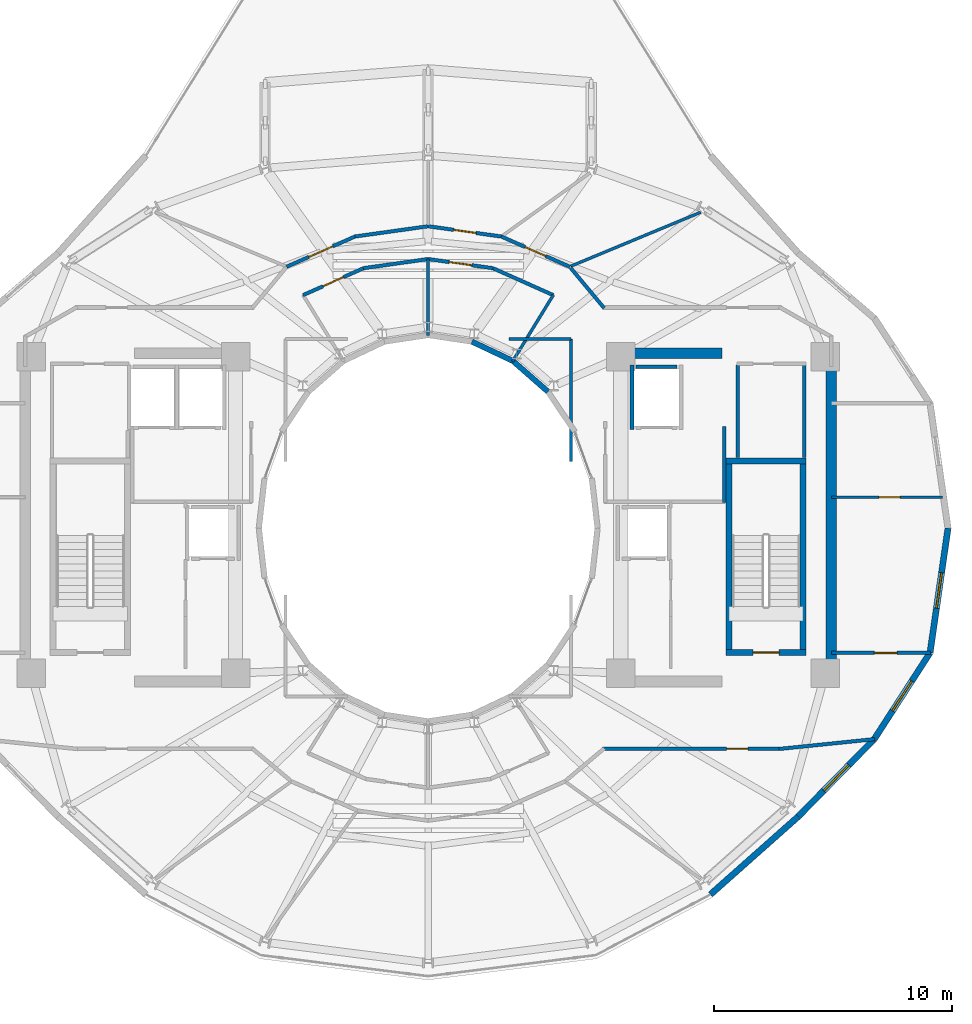
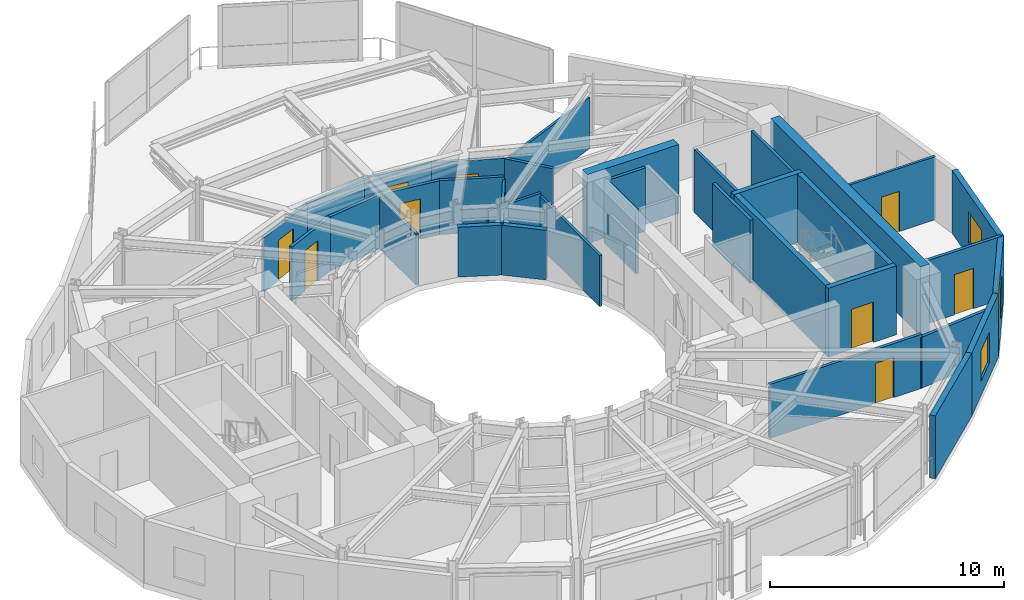
# One storey, part 20 of 24: 35 walls, 9 doors, 3 windows, 12 openings.
"""IFC4 building model written with IfcOpenShell, lengths in metres."""

from ifc_helpers import new_model, si_unit, direction, frame, frame_2d, origin, place, context, subcontext, project, spatial, rectangle, extrude, material, layer, layer_set, type_object, element, fill, save


model = new_model("IFC4")

# Units and contexts
model_context = context("Model", 3, precision=1e-05, world=origin(), true_north=direction((0.0, 1.0)))
body_context = subcontext(model_context, "Body", "Model", "MODEL_VIEW")
ifc_project = project(units=[si_unit("LENGTHUNIT", "METRE"), si_unit("AREAUNIT", "SQUARE_METRE"), si_unit("VOLUMEUNIT", "CUBIC_METRE"), si_unit("PLANEANGLEUNIT", "RADIAN"), si_unit("MASSUNIT", "GRAM", prefix="KILO")], contexts=[model_context])

# Site, building, storey
site_placement = place(None, origin())
site = spatial("IfcSite", under=ifc_project, at=site_placement, CompositionType="ELEMENT")
building_placement = place(site_placement, origin())
building = spatial("IfcBuilding", under=site, at=building_placement, Name="Solvane Sanctuary Tower", CompositionType="ELEMENT")
storey_placement = place(building_placement, frame((0.0, 0.0, 253.199951171875)))
storey = spatial("IfcBuildingStorey", under=building, at=storey_placement, Name="L77", CompositionType="ELEMENT", Elevation=253.199951171875)

# Walls
ifc_material_1 = material(Name="Concrete C50/60", Category="concrete")
ifc_layer_1 = layer(ifc_material_1, 0.449951171875, Name="Concrete C50/60")
ifc_layer_set_1 = layer_set([ifc_layer_1], Name="Concrete C50/60")
wall_type_1 = type_object("IfcWallType", Name="Wall W-CORE-450", PredefinedType="SHEAR", material=ifc_layer_set_1)
wall_1_placement = place(storey_placement, frame((48.949951171875, 17.050048828125, 0.0), z_axis=(0.0, 0.0, 1.0), x_axis=(0.0, 1.0, 0.0)))
element("IfcWall", 1, at=wall_1_placement, inside=storey, type_object=wall_type_1, Name="L77 Core Shear Wall EC-E", PredefinedType="SHEAR", context=body_context, shape_type="SweptSolid", body=[
    extrude(rectangle(XDim=12.800048828125, YDim=0.449951171875, at=frame_2d((6.39990234375, 0.0))), origin(), (0.0, 0.0, 1.0), 3.60009765625),
])
wall_2_placement = place(storey_placement, frame((39.85009765625, 30.35009765625, 0.0), z_axis=(0.0, 0.0, 1.0), x_axis=(1.0, 0.0, 0.0)))
element("IfcWall", 2, at=wall_2_placement, inside=storey, type_object=wall_type_1, Name="L77 Core Shear Wall EC-N", PredefinedType="SHEAR", context=body_context, shape_type="SweptSolid", body=[
    extrude(rectangle(XDim=4.5, YDim=0.449951171875, at=frame_2d((2.25, 0.0))), origin(), (0.0, 0.0, 1.0), 3.60009765625),
])
ifc_material_2 = material(Name="Acoustic Gypsum Partition Board")
ifc_layer_2 = layer(ifc_material_2, 0.14990234375, Name="Acoustic Gypsum Partition Board")
ifc_layer_set_2 = layer_set([ifc_layer_2], Name="Acoustic Gypsum Partition Board")
wall_type_2 = type_object("IfcWallType", Name="Wall W-CORR-150", PredefinedType="PARTITIONING", material=ifc_layer_set_2)
wall_3_placement = place(storey_placement, frame((44.449951171875, 24.080078125, 0.0), z_axis=(0.0, 0.0, 1.0), x_axis=(0.0, 1.0, 0.0)))
element("IfcWall", 3, at=wall_3_placement, inside=storey, type_object=wall_type_2, Name="L77 East Firefighting Lobby East Wall", PredefinedType="PARTITIONING", context=body_context, shape_type="SweptSolid", body=[
    extrude(rectangle(XDim=3.199951171875, YDim=0.14990234375, at=frame_2d((1.60009765625, 0.0))), origin(), (0.0, 0.0, 1.0), 3.295166015625),
])
wall_4_placement = place(storey_placement, frame((37.265380859375, 32.797607421875, 0.0), z_axis=(0.0, 0.0, 1.0), x_axis=(-0.913254317828, 0.407389924971, 0.0)))
element("IfcWall", 4, at=wall_4_placement, inside=storey, type_object=wall_type_2, Name="L77 Light-Well Alcove Corridor Wall 1", PredefinedType="PARTITIONING", context=body_context, shape_type="SweptSolid", body=[
    extrude(rectangle(XDim=2.78662109375, YDim=0.14990234375, at=frame_2d((1.393310546875, 0.0))), origin(), (0.0, 0.0, 1.0), 2.822998046875),
])

# Wall, opening, door
wall_5_placement = place(storey_placement, frame((34.72412109375, 33.931884765625, 0.0), z_axis=(0.0, 0.0, 1.0), x_axis=(-0.990150268487, 0.140008734782, 0.0)))
wall_5 = element("IfcWall", 5, at=wall_5_placement, inside=storey, type_object=wall_type_2, Name="L77 Light-Well Alcove Corridor Wall 1", PredefinedType="PARTITIONING", context=body_context, shape_type="SweptSolid", body=[
    extrude(rectangle(XDim=2.758544921875, YDim=0.14990234375, at=frame_2d((1.37939453125, 0.0))), origin(), (0.0, 0.0, 1.0), 2.822998046875),
])
opening_1_placement = place(wall_5_placement, frame((0.904296875, 0.0, 0.0)))
opening_1 = element("IfcOpeningElement", 6, at=opening_1_placement, cuts=wall_5, Name="Opening D-L77-09", PredefinedType="OPENING", context=body_context, shape_type="SweptSolid", body=[
    extrude(rectangle(XDim=0.949951171875, YDim=2.10009765625, at=frame_2d((0.47509765625, 1.050048828125))), frame((0.0, 0.0849609375, 0.0), z_axis=(0.0, -1.0, 0.0), x_axis=(1.0, 0.0, 0.0)), (0.0, 0.0, 1.0), 0.169921875),
])
ifc_material_3 = material(Name="Engineered Tropical Hardwood", Category="wood")
door_type_1 = type_object("IfcDoorType", Name="Door D-ROOM-950", OperationType="NOTDEFINED", PredefinedType="DOOR", material=ifc_material_3)
door_1_placement = place(opening_1_placement, origin())
door_1 = element("IfcDoor", 7, at=door_1_placement, inside=storey, type_object=door_type_1, Name="L77 Light-Well Alcove Door 1", OperationType="SINGLE_SWING_LEFT", OverallHeight=2.10009765625, OverallWidth=0.949951171875, PredefinedType="DOOR", context=body_context, shape_type="SweptSolid", body=[
    extrude(rectangle(XDim=0.949951171875, YDim=2.10009765625, at=frame_2d((0.47509765625, 1.050048828125))), frame((0.0, 0.02490234375, 0.0), z_axis=(0.0, -1.0, 0.0), x_axis=(1.0, 0.0, 0.0)), (0.0, 0.0, 1.0), 0.050048828125),
])
fill(opening_1, door_1)

# Wall
wall_6_placement = place(storey_placement, frame((32.00732421875, 34.318115234375, 0.0), z_axis=(0.0, 0.0, 1.0), x_axis=(-0.990150268487, -0.140008734782, 0.0)))
element("IfcWall", 8, at=wall_6_placement, inside=storey, type_object=wall_type_2, Name="L77 Light-Well Alcove Corridor Wall 2", PredefinedType="PARTITIONING", context=body_context, shape_type="SweptSolid", body=[
    extrude(rectangle(XDim=2.758544921875, YDim=0.14990234375, at=frame_2d((1.37939453125, 0.0))), origin(), (0.0, 0.0, 1.0), 2.822998046875),
])

# Wall, opening, door
wall_7_placement = place(storey_placement, frame((29.279541015625, 33.932861328125, 0.0), z_axis=(0.0, 0.0, 1.0), x_axis=(-0.913254317828, -0.407389924971, 0.0)))
wall_7 = element("IfcWall", 9, at=wall_7_placement, inside=storey, type_object=wall_type_2, Name="L77 Light-Well Alcove Corridor Wall 2", PredefinedType="PARTITIONING", context=body_context, shape_type="SweptSolid", body=[
    extrude(rectangle(XDim=2.78662109375, YDim=0.14990234375, at=frame_2d((1.393310546875, 0.0))), origin(), (0.0, 0.0, 1.0), 2.822998046875),
])
opening_2_placement = place(wall_7_placement, frame((0.918212890625, 0.0, 0.0)))
opening_2 = element("IfcOpeningElement", 10, at=opening_2_placement, cuts=wall_7, Name="Opening D-L77-10", PredefinedType="OPENING", context=body_context, shape_type="SweptSolid", body=[
    extrude(rectangle(XDim=0.949951171875, YDim=2.10009765625, at=frame_2d((0.47509765625, 1.050048828125))), frame((0.0, 0.0849609375, 0.0), z_axis=(0.0, -1.0, 0.0), x_axis=(1.0, 0.0, 0.0)), (0.0, 0.0, 1.0), 0.169921875),
])
door_2_placement = place(opening_2_placement, origin())
door_2 = element("IfcDoor", 11, at=door_2_placement, inside=storey, type_object=door_type_1, Name="L77 Light-Well Alcove Door 2", OperationType="SINGLE_SWING_RIGHT", OverallHeight=2.10009765625, OverallWidth=0.949951171875, PredefinedType="DOOR", context=body_context, shape_type="SweptSolid", body=[
    extrude(rectangle(XDim=0.949951171875, YDim=2.10009765625, at=frame_2d((0.47509765625, 1.050048828125))), frame((0.0, 0.02490234375, 0.0), z_axis=(0.0, -1.0, 0.0), x_axis=(1.0, 0.0, 0.0)), (0.0, 0.0, 1.0), 0.050048828125),
])
fill(opening_2, door_2)

wall_8_placement = place(storey_placement, frame((48.949951171875, 17.754638671875, 0.0), z_axis=(0.0, 0.0, 1.0), x_axis=(1.0, 0.0, 0.0)))
wall_8 = element("IfcWall", 12, at=wall_8_placement, inside=storey, type_object=wall_type_2, Name="L77 East Shoulder South Wall", PredefinedType="PARTITIONING", context=body_context, shape_type="SweptSolid", body=[
    extrude(rectangle(XDim=4.174560546875, YDim=0.14990234375, at=frame_2d((2.08740234375, 0.0))), origin(), (0.0, 0.0, 1.0), 3.295166015625),
])
opening_3_placement = place(wall_8_placement, frame((1.817138671875, 0.0, 0.0)))
opening_3 = element("IfcOpeningElement", 13, at=opening_3_placement, cuts=wall_8, Name="Opening D-L77-13", PredefinedType="OPENING", context=body_context, shape_type="SweptSolid", body=[
    extrude(rectangle(XDim=0.949951171875, YDim=2.10009765625, at=frame_2d((0.47509765625, 1.050048828125))), frame((0.0, 0.0849609375, 0.0), z_axis=(0.0, -1.0, 0.0), x_axis=(1.0, 0.0, 0.0)), (0.0, 0.0, 1.0), 0.169921875),
])
door_3_placement = place(opening_3_placement, origin())
door_3 = element("IfcDoor", 14, at=door_3_placement, inside=storey, type_object=door_type_1, Name="L77 East Shoulder South Door", OperationType="SINGLE_SWING_LEFT", OverallHeight=2.10009765625, OverallWidth=0.949951171875, PredefinedType="DOOR", context=body_context, shape_type="SweptSolid", body=[
    extrude(rectangle(XDim=0.949951171875, YDim=2.10009765625, at=frame_2d((0.47509765625, 1.050048828125))), frame((0.0, 0.02490234375, 0.0), z_axis=(0.0, -1.0, 0.0), x_axis=(1.0, 0.0, 0.0)), (0.0, 0.0, 1.0), 0.050048828125),
])
fill(opening_3, door_3)

# Wall
wall_9_placement = place(storey_placement, frame((37.984130859375, 33.95458984375, 0.0), z_axis=(0.0, 0.0, 1.0), x_axis=(0.64030392053, -0.76812166312, 0.0)))
element("IfcWall", 15, at=wall_9_placement, inside=storey, type_object=wall_type_2, Name="L77 NE Corner Throat Wall", PredefinedType="PARTITIONING", context=body_context, shape_type="SweptSolid", body=[
    extrude(rectangle(XDim=2.2099609375, YDim=0.14990234375, at=frame_2d((1.10498046875, 0.0))), origin(), (0.0, 0.0, 1.0), 2.816162109375),
])

# Wall, opening, door
wall_10_placement = place(storey_placement, frame((39.330078125, 13.719970703125, 0.0), z_axis=(0.0, 0.0, 1.0), x_axis=(1.0, 0.0, 0.0)))
wall_10 = element("IfcWall", 16, at=wall_10_placement, inside=storey, type_object=wall_type_2, Name="L77 SE Corner Corridor Wall", PredefinedType="PARTITIONING", context=body_context, shape_type="SweptSolid", body=[
    extrude(rectangle(XDim=7.52001953125, YDim=0.14990234375, at=frame_2d((3.760009765625, 0.0))), origin(), (0.0, 0.0, 1.0), 2.816162109375),
])
opening_4_placement = place(wall_10_placement, frame((5.219970703125, 0.0, 0.0)))
opening_4 = element("IfcOpeningElement", 17, at=opening_4_placement, cuts=wall_10, Name="Opening D-L77-20", PredefinedType="OPENING", context=body_context, shape_type="SweptSolid", body=[
    extrude(rectangle(XDim=0.89990234375, YDim=2.10009765625, at=frame_2d((0.449951171875, 1.050048828125))), frame((0.0, 0.0849609375, 0.0), z_axis=(0.0, -1.0, 0.0), x_axis=(1.0, 0.0, 0.0)), (0.0, 0.0, 1.0), 0.169921875),
])
door_type_2 = type_object("IfcDoorType", Name="Door D-WET-900", OperationType="NOTDEFINED", PredefinedType="DOOR", material=ifc_material_3)
door_4_placement = place(opening_4_placement, origin())
door_4 = element("IfcDoor", 18, at=door_4_placement, inside=storey, type_object=door_type_2, Name="L77 SE Corner Salon Door", OperationType="SINGLE_SWING_RIGHT", OverallHeight=2.10009765625, OverallWidth=0.89990234375, PredefinedType="DOOR", context=body_context, shape_type="SweptSolid", body=[
    extrude(rectangle(XDim=0.89990234375, YDim=2.10009765625, at=frame_2d((0.449951171875, 1.050048828125))), frame((0.0, 0.02490234375, 0.0), z_axis=(0.0, -1.0, 0.0), x_axis=(1.0, 0.0, 0.0)), (0.0, 0.0, 1.0), 0.050048828125),
])
fill(opening_4, door_4)

# Wall
wall_11_placement = place(storey_placement, frame((46.750244140625, 13.71484375, 0.0), z_axis=(0.0, 0.0, 1.0), x_axis=(0.994734711466, 0.102483431859, 0.0)))
element("IfcWall", 19, at=wall_11_placement, inside=storey, type_object=wall_type_2, Name="L77 SE Corner Wing Wall", PredefinedType="PARTITIONING", context=body_context, shape_type="SweptSolid", body=[
    extrude(rectangle(XDim=4.04736328125, YDim=0.14990234375, at=frame_2d((2.023681640625, 0.0))), origin(), (0.0, 0.0, 1.0), 2.66015625),
])

# Wall, opening, door
wall_12_placement = place(storey_placement, frame((37.956298828125, 33.992431640625, 0.0), z_axis=(0.0, 0.0, 1.0), x_axis=(-0.914642679993, 0.404263240891, 0.0)))
wall_12 = element("IfcWall", 20, at=wall_12_placement, inside=storey, type_object=wall_type_2, Name="L77 Sky Promenade Corridor Wall N1", PredefinedType="PARTITIONING", context=body_context, shape_type="SweptSolid", body=[
    extrude(rectangle(XDim=3.154296875, YDim=0.14990234375, at=frame_2d((1.5771484375, 0.0))), origin(), (0.0, 0.0, 1.0), 2.822998046875),
])
opening_5_placement = place(wall_12_placement, frame((1.10205078125, 0.0, 0.0)))
opening_5 = element("IfcOpeningElement", 21, at=opening_5_placement, cuts=wall_12, Name="Opening D-L77-21", PredefinedType="OPENING", context=body_context, shape_type="SweptSolid", body=[
    extrude(rectangle(XDim=0.949951171875, YDim=2.10009765625, at=frame_2d((0.47509765625, 1.050048828125))), frame((0.0, 0.0849609375, 0.0), z_axis=(0.0, -1.0, 0.0), x_axis=(1.0, 0.0, 0.0)), (0.0, 0.0, 1.0), 0.169921875),
])
door_5_placement = place(opening_5_placement, origin())
door_5 = element("IfcDoor", 22, at=door_5_placement, inside=storey, type_object=door_type_1, Name="L77 Sky Hall Entrance Door N1", OperationType="SINGLE_SWING_LEFT", OverallHeight=2.10009765625, OverallWidth=0.949951171875, PredefinedType="DOOR", context=body_context, shape_type="SweptSolid", body=[
    extrude(rectangle(XDim=0.949951171875, YDim=2.10009765625, at=frame_2d((0.47509765625, 1.050048828125))), frame((0.0, 0.02490234375, 0.0), z_axis=(0.0, -1.0, 0.0), x_axis=(1.0, 0.0, 0.0)), (0.0, 0.0, 1.0), 0.050048828125),
])
fill(opening_5, door_5)

wall_13_placement = place(storey_placement, frame((35.08740234375, 35.262939453125, 0.0), z_axis=(0.0, 0.0, 1.0), x_axis=(-0.990268690673, 0.139168675614, 0.0)))
wall_13 = element("IfcWall", 23, at=wall_13_placement, inside=storey, type_object=wall_type_2, Name="L77 Sky Promenade Corridor Wall N2", PredefinedType="PARTITIONING", context=body_context, shape_type="SweptSolid", body=[
    extrude(rectangle(XDim=3.126220703125, YDim=0.14990234375, at=frame_2d((1.56298828125, 0.0))), origin(), (0.0, 0.0, 1.0), 2.822998046875),
])
opening_6_placement = place(wall_13_placement, frame((1.088134765625, 0.0, 0.0)))
opening_6 = element("IfcOpeningElement", 24, at=opening_6_placement, cuts=wall_13, Name="Opening D-L77-22", PredefinedType="OPENING", context=body_context, shape_type="SweptSolid", body=[
    extrude(rectangle(XDim=0.949951171875, YDim=2.10009765625, at=frame_2d((0.47509765625, 1.050048828125))), frame((0.0, 0.0849609375, 0.0), z_axis=(0.0, -1.0, 0.0), x_axis=(1.0, 0.0, 0.0)), (0.0, 0.0, 1.0), 0.169921875),
])
door_6_placement = place(opening_6_placement, origin())
door_6 = element("IfcDoor", 25, at=door_6_placement, inside=storey, type_object=door_type_1, Name="L77 Sky Hall Entrance Door N2", OperationType="SINGLE_SWING_RIGHT", OverallHeight=2.10009765625, OverallWidth=0.949951171875, PredefinedType="DOOR", context=body_context, shape_type="SweptSolid", body=[
    extrude(rectangle(XDim=0.949951171875, YDim=2.10009765625, at=frame_2d((0.47509765625, 1.050048828125))), frame((0.0, 0.02490234375, 0.0), z_axis=(0.0, -1.0, 0.0), x_axis=(1.0, 0.0, 0.0)), (0.0, 0.0, 1.0), 0.050048828125),
])
fill(opening_6, door_6)

# Wall
wall_14_placement = place(storey_placement, frame((32.00830078125, 35.697998046875, 0.0), z_axis=(0.0, 0.0, 1.0), x_axis=(-0.990317017221, -0.138824368909, 0.0)))
element("IfcWall", 26, at=wall_14_placement, inside=storey, type_object=wall_type_2, Name="L77 Sky Promenade Corridor Wall N3", PredefinedType="PARTITIONING", context=body_context, shape_type="SweptSolid", body=[
    extrude(rectangle(XDim=3.119873046875, YDim=0.14990234375, at=frame_2d((1.56005859375, 0.0))), origin(), (0.0, 0.0, 1.0), 2.822998046875),
])

# Wall, opening, door
wall_15_placement = place(storey_placement, frame((28.922607421875, 35.265869140625, 0.0), z_axis=(0.0, 0.0, 1.0), x_axis=(-0.914526509772, -0.404525973115, 0.0)))
wall_15 = element("IfcWall", 27, at=wall_15_placement, inside=storey, type_object=wall_type_2, Name="L77 Sky Promenade Corridor Wall N3", PredefinedType="PARTITIONING", context=body_context, shape_type="SweptSolid", body=[
    extrude(rectangle(XDim=3.14794921875, YDim=0.14990234375, at=frame_2d((1.573974609375, 0.0))), origin(), (0.0, 0.0, 1.0), 2.822998046875),
])
opening_7_placement = place(wall_15_placement, frame((1.02392578125, 0.0, 0.0)))
opening_7 = element("IfcOpeningElement", 28, at=opening_7_placement, cuts=wall_15, Name="Opening D-L77-23", PredefinedType="OPENING", context=body_context, shape_type="SweptSolid", body=[
    extrude(rectangle(XDim=1.10009765625, YDim=2.10009765625, at=frame_2d((0.550048828125, 1.050048828125))), frame((0.0, 0.0849609375, 0.0), z_axis=(0.0, -1.0, 0.0), x_axis=(1.0, 0.0, 0.0)), (0.0, 0.0, 1.0), 0.169921875),
])
ifc_material_4 = material(Name="Architectural Stainless Steel 316", Category="steel")
door_type_3 = type_object("IfcDoorType", Name="Door D-FFL", OperationType="NOTDEFINED", PredefinedType="DOOR", material=ifc_material_4)
door_7_placement = place(opening_7_placement, origin())
door_7 = element("IfcDoor", 29, at=door_7_placement, inside=storey, type_object=door_type_3, Name="L77 Sky Hall Entrance Door N3", OperationType="SINGLE_SWING_LEFT", OverallHeight=2.10009765625, OverallWidth=1.10009765625, PredefinedType="DOOR", context=body_context, shape_type="SweptSolid", body=[
    extrude(rectangle(XDim=1.10009765625, YDim=2.10009765625, at=frame_2d((0.550048828125, 1.050048828125))), frame((0.0, 0.02490234375, 0.0), z_axis=(0.0, -1.0, 0.0), x_axis=(1.0, 0.0, 0.0)), (0.0, 0.0, 1.0), 0.050048828125),
])
fill(opening_7, door_7)

# Wall
ifc_material_5 = material(Name="Precast concrete C40/50", Category="concrete")
ifc_layer_3 = layer(ifc_material_5, 0.260009765625, Name="Precast concrete C40/50")
ifc_layer_set_3 = layer_set([ifc_layer_3], Name="Precast concrete C40/50")
wall_type_3 = type_object("IfcWallType", Name="Wall W-EXT-250", PredefinedType="STANDARD", material=ifc_layer_set_3)
wall_16_placement = place(storey_placement, frame((43.8701171875, 7.600830078125, 0.0), z_axis=(0.0, 0.0, 1.0), x_axis=(0.748165854006, 0.663511759428, 0.0)))
element("IfcWall", 30, at=wall_16_placement, inside=storey, type_object=wall_type_3, Name="L77 Ceramic-Printed Facade Wall 20", PredefinedType="STANDARD", context=body_context, shape_type="SweptSolid", body=[
    extrude(rectangle(XDim=4.9287109375, YDim=0.260009765625, at=frame_2d((2.46435546875, 0.0))), origin(), (0.0, 0.0, 1.0), 3.2900390625),
])

# Wall, opening, window
wall_17_placement = place(storey_placement, frame((47.5576171875, 10.87109375, 0.0), z_axis=(0.0, 0.0, 1.0), x_axis=(0.700642973333, 0.713512034881, 0.0)))
wall_17 = element("IfcWall", 31, at=wall_17_placement, inside=storey, type_object=wall_type_3, Name="L77 Ceramic-Printed Facade Wall 21", PredefinedType="STANDARD", context=body_context, shape_type="SweptSolid", body=[
    extrude(rectangle(XDim=4.572021484375, YDim=0.260009765625, at=frame_2d((2.2861328125, 0.0))), origin(), (0.0, 0.0, 1.0), 3.2900390625),
])
opening_8_placement = place(wall_17_placement, frame((1.535888671875, 0.0, 0.75)))
opening_8 = element("IfcOpeningElement", 32, at=opening_8_placement, cuts=wall_17, Name="Opening WN-OPER-1500", PredefinedType="OPENING", context=body_context, shape_type="SweptSolid", body=[
    extrude(rectangle(XDim=1.5, YDim=1.60009765625, at=frame_2d((0.75, 0.800048828125))), frame((0.0, 0.139892578125, 0.0), z_axis=(0.0, -1.0, 0.0), x_axis=(1.0, 0.0, 0.0)), (0.0, 0.0, 1.0), 0.280029296875),
])
ifc_material_6 = material(Name="Dark Ceramic-Fritted Low-E Glass", Category="glass")
window_type = type_object("IfcWindowType", Name="Window WN-OPER-1500", PartitioningType="SINGLE_PANEL", PredefinedType="WINDOW", material=ifc_material_6)
window_1_placement = place(opening_8_placement, origin())
window_1 = element("IfcWindow", 33, at=window_1_placement, inside=storey, type_object=window_type, Name="L77 Operable Facade Window 21", OverallHeight=1.60009765625, OverallWidth=1.5, PartitioningType="SINGLE_PANEL", PredefinedType="WINDOW", context=body_context, shape_type="SweptSolid", body=[
    extrude(rectangle(XDim=1.5, YDim=1.60009765625, at=frame_2d((0.75, 0.800048828125))), frame((0.0, 0.030029296875, 0.0), z_axis=(0.0, -1.0, 0.0), x_axis=(1.0, 0.0, 0.0)), (0.0, 0.0, 1.0), 0.06005859375),
])
fill(opening_8, window_1)

wall_18_placement = place(storey_placement, frame((50.760986328125, 14.13330078125, 0.0), z_axis=(0.0, 0.0, 1.0), x_axis=(0.542641766008, 0.839964233634, 0.0)))
wall_18 = element("IfcWall", 34, at=wall_18_placement, inside=storey, type_object=wall_type_3, Name="L77 Ceramic-Printed Facade Wall 22", PredefinedType="STANDARD", context=body_context, shape_type="SweptSolid", body=[
    extrude(rectangle(XDim=4.319091796875, YDim=0.260009765625, at=frame_2d((2.15966796875, 0.0))), origin(), (0.0, 0.0, 1.0), 3.2900390625),
])
opening_9_placement = place(wall_18_placement, frame((1.40966796875, 0.0, 0.75)))
opening_9 = element("IfcOpeningElement", 35, at=opening_9_placement, cuts=wall_18, Name="Opening WN-OPER-1500", PredefinedType="OPENING", context=body_context, shape_type="SweptSolid", body=[
    extrude(rectangle(XDim=1.5, YDim=1.60009765625, at=frame_2d((0.75, 0.800048828125))), frame((0.0, 0.139892578125, 0.0), z_axis=(0.0, -1.0, 0.0), x_axis=(1.0, 0.0, 0.0)), (0.0, 0.0, 1.0), 0.280029296875),
])
window_2_placement = place(opening_9_placement, origin())
window_2 = element("IfcWindow", 36, at=window_2_placement, inside=storey, type_object=window_type, Name="L77 Operable Facade Window 22", OverallHeight=1.60009765625, OverallWidth=1.5, PartitioningType="SINGLE_PANEL", PredefinedType="WINDOW", context=body_context, shape_type="SweptSolid", body=[
    extrude(rectangle(XDim=1.5, YDim=1.60009765625, at=frame_2d((0.75, 0.800048828125))), frame((0.0, 0.030029296875, 0.0), z_axis=(0.0, -1.0, 0.0), x_axis=(1.0, 0.0, 0.0)), (0.0, 0.0, 1.0), 0.06005859375),
])
fill(opening_9, window_2)

wall_19_placement = place(storey_placement, frame((53.104736328125, 17.76123046875, 0.0), z_axis=(0.0, 0.0, 1.0), x_axis=(0.142712754019, 0.989764148593, 0.0)))
wall_19 = element("IfcWall", 37, at=wall_19_placement, inside=storey, type_object=wall_type_3, Name="L77 Ceramic-Printed Facade Wall 23", PredefinedType="STANDARD", context=body_context, shape_type="SweptSolid", body=[
    extrude(rectangle(XDim=5.29296875, YDim=0.260009765625, at=frame_2d((2.646484375, 0.0))), origin(), (0.0, 0.0, 1.0), 3.2900390625),
])
opening_10_placement = place(wall_19_placement, frame((1.896484375, 0.0, 0.75)))
opening_10 = element("IfcOpeningElement", 38, at=opening_10_placement, cuts=wall_19, Name="Opening WN-OPER-1500", PredefinedType="OPENING", context=body_context, shape_type="SweptSolid", body=[
    extrude(rectangle(XDim=1.5, YDim=1.60009765625, at=frame_2d((0.75, 0.800048828125))), frame((0.0, 0.139892578125, 0.0), z_axis=(0.0, -1.0, 0.0), x_axis=(1.0, 0.0, 0.0)), (0.0, 0.0, 1.0), 0.280029296875),
])
window_3_placement = place(opening_10_placement, origin())
window_3 = element("IfcWindow", 39, at=window_3_placement, inside=storey, type_object=window_type, Name="L77 Operable Facade Window 23", OverallHeight=1.60009765625, OverallWidth=1.5, PartitioningType="SINGLE_PANEL", PredefinedType="WINDOW", context=body_context, shape_type="SweptSolid", body=[
    extrude(rectangle(XDim=1.5, YDim=1.60009765625, at=frame_2d((0.75, 0.800048828125))), frame((0.0, 0.030029296875, 0.0), z_axis=(0.0, -1.0, 0.0), x_axis=(1.0, 0.0, 0.0)), (0.0, 0.0, 1.0), 0.06005859375),
])
fill(opening_10, window_3)

# Walls
ifc_layer_4 = layer(ifc_material_5, 0.22998046875, Name="Precast concrete C40/50")
ifc_layer_set_4 = layer_set([ifc_layer_4], Name="Precast concrete C40/50")
wall_type_4 = type_object("IfcWallType", Name="Wall W-EXT-SP220", PredefinedType="STANDARD", material=ifc_layer_set_4)
wall_20_placement = place(storey_placement, frame((37.03466796875, 28.74169921875, 0.0), z_axis=(0.0, 0.0, 1.0), x_axis=(-0.752576694707, 0.658504607869, 0.0)))
element("IfcWall", 40, at=wall_20_placement, inside=storey, type_object=wall_type_4, Name="L77 Central Light-Well Wall 03", PredefinedType="STANDARD", context=body_context, shape_type="SweptSolid", body=[
    extrude(rectangle(XDim=1.95947265625, YDim=0.22998046875, at=frame_2d((0.979736328125, 0.0))), origin(), (0.0, 0.0, 1.0), 2.60009765625),
])
wall_21_placement = place(storey_placement, frame((35.56005859375, 30.031982421875, 0.0), z_axis=(0.0, 0.0, 1.0), x_axis=(-0.904179699603, 0.427152280606, 0.0)))
element("IfcWall", 41, at=wall_21_placement, inside=storey, type_object=wall_type_4, Name="L77 Central Light-Well Wall 04", PredefinedType="STANDARD", context=body_context, shape_type="SweptSolid", body=[
    extrude(rectangle(XDim=1.899169921875, YDim=0.22998046875, at=frame_2d((0.94970703125, 0.0))), origin(), (0.0, 0.0, 1.0), 2.60009765625),
])

# Wall, opening, door
ifc_layer_5 = layer(ifc_material_2, 0.1201171875, Name="Acoustic Gypsum Partition Board")
ifc_layer_set_5 = layer_set([ifc_layer_5], Name="Acoustic Gypsum Partition Board")
wall_type_5 = type_object("IfcWallType", Name="Wall W-MOV-100", PredefinedType="MOVABLE", material=ifc_layer_set_5)
wall_22_placement = place(storey_placement, frame((48.949951171875, 24.300048828125, 0.0), z_axis=(0.0, 0.0, 1.0), x_axis=(1.0, 0.0, 0.0)))
wall_22 = element("IfcWall", 42, at=wall_22_placement, inside=storey, type_object=wall_type_5, Name="L77 East Suite Partition", PredefinedType="MOVABLE", context=body_context, shape_type="SweptSolid", body=[
    extrude(rectangle(XDim=4.682861328125, YDim=0.1201171875, at=frame_2d((2.34130859375, 0.0))), origin(), (0.0, 0.0, 1.0), 3.295166015625),
])
opening_11_placement = place(wall_22_placement, frame((2.0, 0.0, 0.0)))
opening_11 = element("IfcOpeningElement", 43, at=opening_11_placement, cuts=wall_22, Name="Opening D-L77-14", PredefinedType="OPENING", context=body_context, shape_type="SweptSolid", body=[
    extrude(rectangle(XDim=0.89990234375, YDim=2.10009765625, at=frame_2d((0.449951171875, 1.050048828125))), frame((0.0, 0.070068359375, 0.0), z_axis=(0.0, -1.0, 0.0), x_axis=(1.0, 0.0, 0.0)), (0.0, 0.0, 1.0), 0.14013671875),
])
door_8_placement = place(opening_11_placement, origin())
door_8 = element("IfcDoor", 44, at=door_8_placement, inside=storey, type_object=door_type_2, Name="L77 East Suite Internal Door", OperationType="SINGLE_SWING_RIGHT", OverallHeight=2.10009765625, OverallWidth=0.89990234375, PredefinedType="DOOR", context=body_context, shape_type="SweptSolid", body=[
    extrude(rectangle(XDim=0.89990234375, YDim=2.10009765625, at=frame_2d((0.449951171875, 1.050048828125))), frame((0.0, 0.02490234375, 0.0), z_axis=(0.0, -1.0, 0.0), x_axis=(1.0, 0.0, 0.0)), (0.0, 0.0, 1.0), 0.050048828125),
])
fill(opening_11, door_8)

# Walls
wall_23_placement = place(storey_placement, frame((37.999755859375, 34.017822265625, 0.0), z_axis=(0.0, 0.0, 1.0), x_axis=(0.92349333748, 0.383614462228, 0.0)))
element("IfcWall", 45, at=wall_23_placement, inside=storey, type_object=wall_type_5, Name="L77 Sky Hall Radial Partition 060", PredefinedType="MOVABLE", context=body_context, shape_type="SweptSolid", body=[
    extrude(rectangle(XDim=5.9072265625, YDim=0.1201171875, at=frame_2d((2.95361328125, 0.0))), origin(), (0.0, 0.0, 1.0), 2.66015625),
])
ifc_layer_6 = layer(ifc_material_2, 0.125, Name="Acoustic Gypsum Partition Board")
ifc_layer_set_6 = layer_set([ifc_layer_6], Name="Acoustic Gypsum Partition Board")
wall_type_6 = type_object("IfcWallType", Name="Wall W-PART-125", PredefinedType="PARTITIONING", material=ifc_layer_set_6)
wall_24_placement = place(storey_placement, frame((35.550048828125, 30.014892578125, 0.0), z_axis=(0.0, 0.0, 1.0), x_axis=(0.522763432117, 0.852477796802, 0.0)))
element("IfcWall", 46, at=wall_24_placement, inside=storey, type_object=wall_type_6, Name="L77 Light-Well Alcove Radial Wall 60", PredefinedType="PARTITIONING", context=body_context, shape_type="SweptSolid", body=[
    extrude(rectangle(XDim=3.26904296875, YDim=0.125, at=frame_2d((1.634521484375, 0.0))), origin(), (0.0, 0.0, 1.0), 2.672119140625),
])
wall_25_placement = place(storey_placement, frame((32.0, 31.10009765625, 0.0), z_axis=(0.0, 0.0, 1.0), x_axis=(0.0, 1.0, 0.0)))
element("IfcWall", 47, at=wall_25_placement, inside=storey, type_object=wall_type_6, Name="L77 Light-Well Alcove Radial Wall 90", PredefinedType="PARTITIONING", context=body_context, shape_type="SweptSolid", body=[
    extrude(rectangle(XDim=3.218017578125, YDim=0.125, at=frame_2d((1.60888671875, 0.0))), origin(), (0.0, 0.0, 1.0), 2.672119140625),
])
wall_26_placement = place(storey_placement, frame((38.0, 25.800048828125, 0.0), z_axis=(0.0, 0.0, 1.0), x_axis=(0.0, 1.0, 0.0)))
element("IfcWall", 48, at=wall_26_placement, inside=storey, type_object=wall_type_6, Name="L77 Bridge Alcove Wall 3", PredefinedType="PARTITIONING", context=body_context, shape_type="SweptSolid", body=[
    extrude(rectangle(XDim=5.159912109375, YDim=0.125, at=frame_2d((2.580078125, 0.0))), origin(), (0.0, 0.0, 1.0), 2.672119140625),
])
wall_27_placement = place(storey_placement, frame((35.39990234375, 30.9599609375, 0.0), z_axis=(0.0, 0.0, 1.0), x_axis=(1.0, 0.0, 0.0)))
element("IfcWall", 49, at=wall_27_placement, inside=storey, type_object=wall_type_6, Name="L77 Bridge Alcove Wall 4", PredefinedType="PARTITIONING", context=body_context, shape_type="SweptSolid", body=[
    extrude(rectangle(XDim=2.60009765625, YDim=0.125, at=frame_2d((1.300048828125, 0.0))), origin(), (0.0, 0.0, 1.0), 2.816162109375),
])
ifc_layer_7 = layer(ifc_material_1, 0.14990234375, Name="Concrete C50/60")
ifc_layer_set_7 = layer_set([ifc_layer_7], Name="Concrete C50/60")
wall_type_7 = type_object("IfcWallType", Name="Wall W-SHAFT-150", PredefinedType="SOLIDWALL", material=ifc_layer_set_7)
wall_28_placement = place(storey_placement, frame((40.739990234375, 29.780029296875, 0.0), z_axis=(0.0, 0.0, 1.0), x_axis=(1.0, 0.0, 0.0)))
element("IfcWall", 50, at=wall_28_placement, inside=storey, type_object=wall_type_7, Name="L77 FFL-2 Lift Shaft Wall B", PredefinedType="SOLIDWALL", context=body_context, shape_type="SweptSolid", body=[
    extrude(rectangle(XDim=1.719970703125, YDim=0.14990234375, at=frame_2d((0.85986328125, 0.0))), origin(), (0.0, 0.0, 1.0), 3.295166015625),
])
wall_29_placement = place(storey_placement, frame((40.570068359375, 27.139892578125, 0.0), z_axis=(0.0, 0.0, 1.0), x_axis=(0.0, 1.0, 0.0)))
element("IfcWall", 51, at=wall_29_placement, inside=storey, type_object=wall_type_7, Name="L77 FFL-2 Lift Shaft Wall S1", PredefinedType="SOLIDWALL", context=body_context, shape_type="SweptSolid", body=[
    extrude(rectangle(XDim=2.72021484375, YDim=0.14990234375, at=frame_2d((1.360107421875, 0.0))), origin(), (0.0, 0.0, 1.0), 3.295166015625),
])

# Wall, opening, door
ifc_layer_8 = layer(ifc_material_1, 0.25, Name="Concrete C50/60")
ifc_layer_set_8 = layer_set([ifc_layer_8], Name="Concrete C50/60")
wall_type_8 = type_object("IfcWallType", Name="Wall W-SHAFT-250", PredefinedType="SOLIDWALL", material=ifc_layer_set_8)
wall_30_placement = place(storey_placement, frame((44.52490234375, 17.77001953125, 0.0), z_axis=(0.0, 0.0, 1.0), x_axis=(1.0, 0.0, 0.0)))
wall_30 = element("IfcWall", 52, at=wall_30_placement, inside=storey, type_object=wall_type_8, Name="L77 ST-2 Load-Bearing Shaft Wall S", PredefinedType="SOLIDWALL", context=body_context, shape_type="SweptSolid", body=[
    extrude(rectangle(XDim=3.3701171875, YDim=0.25, at=frame_2d((1.68505859375, 0.0))), origin(), (0.0, 0.0, 1.0), 3.60009765625),
])
opening_12_placement = place(wall_30_placement, frame((1.135009765625, 0.0, 0.0)))
opening_12 = element("IfcOpeningElement", 53, at=opening_12_placement, cuts=wall_30, Name="Opening D-L77-02", PredefinedType="OPENING", context=body_context, shape_type="SweptSolid", body=[
    extrude(rectangle(XDim=1.10009765625, YDim=2.10009765625, at=frame_2d((0.550048828125, 1.050048828125))), frame((0.0, 0.135009765625, 0.0), z_axis=(0.0, -1.0, 0.0), x_axis=(1.0, 0.0, 0.0)), (0.0, 0.0, 1.0), 0.27001953125),
])
door_type_4 = type_object("IfcDoorType", Name="Door D-STAIR", OperationType="NOTDEFINED", PredefinedType="DOOR", material=ifc_material_4)
door_9_placement = place(opening_12_placement, origin())
door_9 = element("IfcDoor", 54, at=door_9_placement, inside=storey, type_object=door_type_4, Name="L77 ST-2 Exit Stair Fire Door", OperationType="SINGLE_SWING_RIGHT", OverallHeight=2.10009765625, OverallWidth=1.10009765625, PredefinedType="DOOR", context=body_context, shape_type="SweptSolid", body=[
    extrude(rectangle(XDim=1.10009765625, YDim=2.10009765625, at=frame_2d((0.550048828125, 1.050048828125))), frame((0.0, 0.02490234375, 0.0), z_axis=(0.0, -1.0, 0.0), x_axis=(1.0, 0.0, 0.0)), (0.0, 0.0, 1.0), 0.050048828125),
])
fill(opening_12, door_9)

# Walls
wall_31_placement = place(storey_placement, frame((44.52490234375, 25.830078125, 0.0), z_axis=(0.0, 0.0, 1.0), x_axis=(1.0, 0.0, 0.0)))
element("IfcWall", 55, at=wall_31_placement, inside=storey, type_object=wall_type_8, Name="L77 ST-2 Load-Bearing Shaft Wall N", PredefinedType="SOLIDWALL", context=body_context, shape_type="SweptSolid", body=[
    extrude(rectangle(XDim=3.3701171875, YDim=0.25, at=frame_2d((1.68505859375, 0.0))), origin(), (0.0, 0.0, 1.0), 3.60009765625),
])
for number, where, z_axis, x_axis, name in (
    (56, (44.64990234375, 17.89501953125, 0.0), (0.0, 0.0, 1.0), (0.0, 1.0, 0.0), "L77 ST-2 Load-Bearing Shaft Wall W"),
    (57, (47.77001953125, 17.89501953125, 0.0), (0.0, 0.0, 1.0), (0.0, 1.0, 0.0), "L77 ST-2 Load-Bearing Shaft Wall E"),
):
    element("IfcWall", number, at=place(storey_placement, frame(where, z_axis=z_axis, x_axis=x_axis)), inside=storey, type_object=wall_type_8, Name=name, PredefinedType="SOLIDWALL", context=body_context, shape_type="SweptSolid", body=[
        extrude(rectangle(XDim=7.81005859375, YDim=0.25, at=frame_2d((3.905029296875, 0.0))), origin(), (0.0, 0.0, 1.0), 3.60009765625),
    ])
ifc_layer_9 = layer(ifc_material_2, 0.139892578125, Name="Acoustic Gypsum Partition Board")
ifc_layer_set_9 = layer_set([ifc_layer_9], Name="Acoustic Gypsum Partition Board")
wall_type_9 = type_object("IfcWallType", Name="Wall W-WET-140", PredefinedType="PLUMBINGWALL", material=ifc_layer_set_9)
for number, where, z_axis, x_axis, name in (
    (58, (45.02001953125, 25.97998046875, 0.0), (0.0, 0.0, 1.0), (0.0, 1.0, 0.0), "L77 Core Service Side Wall KE0-1"),
    (59, (47.820068359375, 25.97998046875, 0.0), (0.0, 0.0, 1.0), (0.0, 1.0, 0.0), "L77 Core Service Side Wall KE0-2"),
):
    element("IfcWall", number, at=place(storey_placement, frame(where, z_axis=z_axis, x_axis=x_axis)), inside=storey, type_object=wall_type_9, Name=name, PredefinedType="PLUMBINGWALL", context=body_context, shape_type="SweptSolid", body=[
        extrude(rectangle(XDim=3.880126953125, YDim=0.139892578125, at=frame_2d((1.93994140625, 0.0))), origin(), (0.0, 0.0, 1.0), 3.295166015625),
    ])

save(model, "model.ifc")
